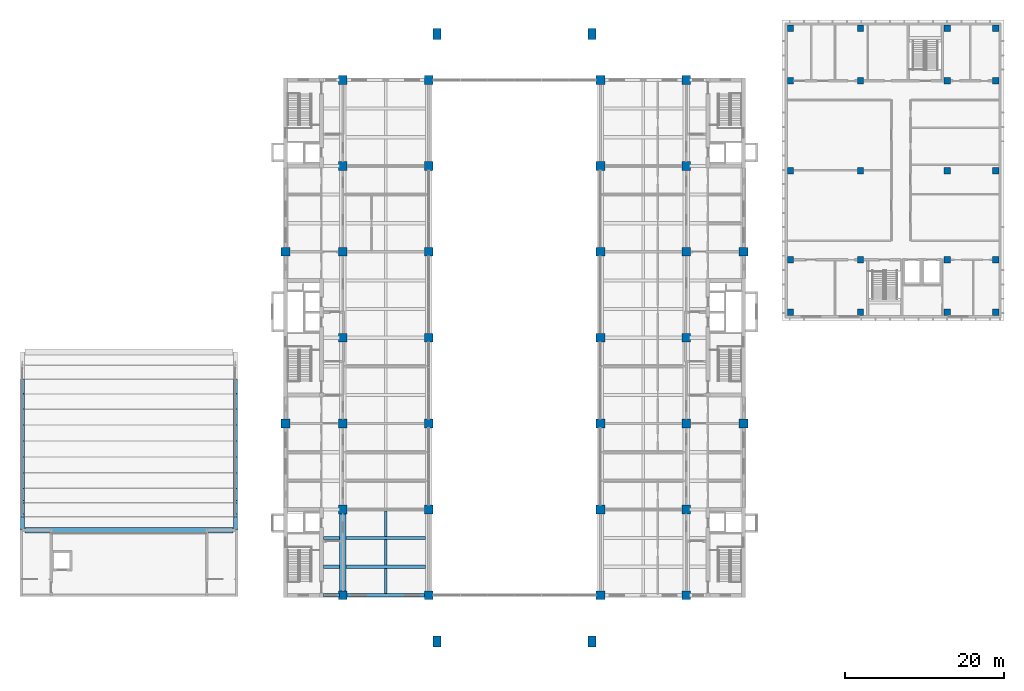
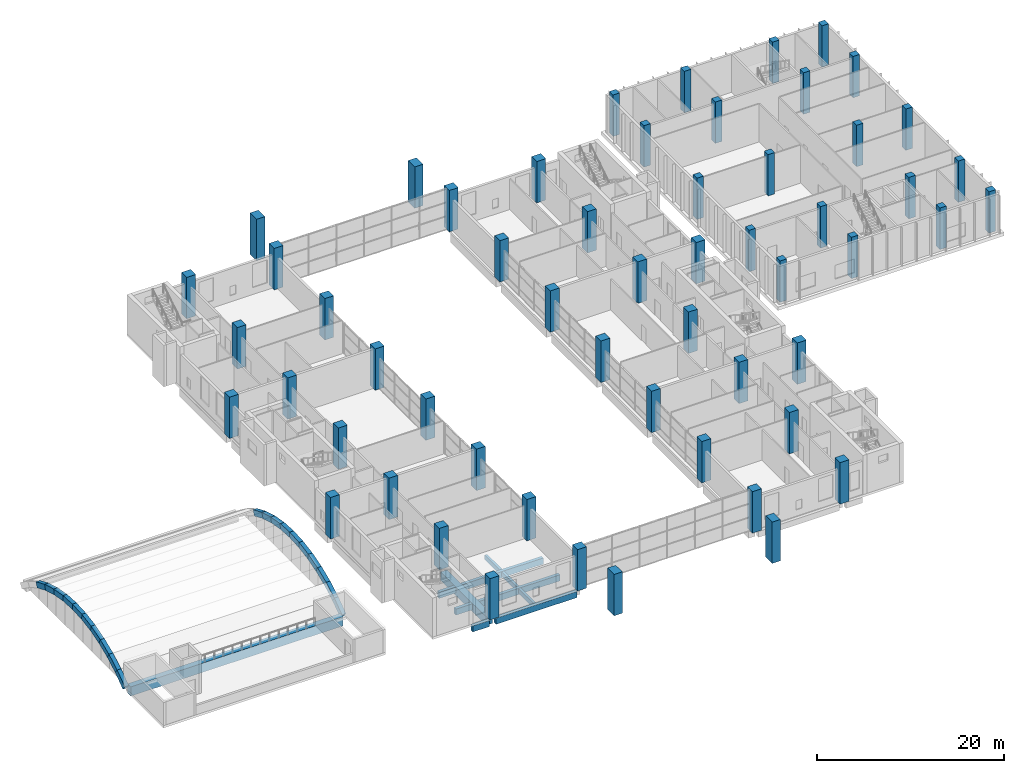
# One storey, part 1 of 32: 56 columns, 31 beams.
"""IFC4 building model written with IfcOpenShell, lengths in metres."""

from ifc_helpers import new_model, si_unit, direction, frame, origin, origin_2d, place, context, subcontext, project, spatial, rectangle, extrude, material, material_profile, profile_set, type_object, element, save


model = new_model("IFC4")

# Units and contexts
model_context = context("Model", 3, precision=1e-05, world=origin(), true_north=direction((0.0, 1.0)))
body_context = subcontext(model_context, "Body", "Model", "MODEL_VIEW")
ifc_project = project(units=[si_unit("LENGTHUNIT", "METRE"), si_unit("AREAUNIT", "SQUARE_METRE"), si_unit("VOLUMEUNIT", "CUBIC_METRE"), si_unit("PLANEANGLEUNIT", "RADIAN"), si_unit("MASSUNIT", "GRAM", prefix="KILO")], contexts=[model_context])

# Site, building, storey
site_placement = place(None, origin())
site = spatial("IfcSite", under=ifc_project, at=site_placement, CompositionType="ELEMENT")
building_placement = place(site_placement, origin())
building = spatial("IfcBuilding", under=site, at=building_placement, Name="Basin Gate Institute", CompositionType="ELEMENT")
storey_placement = place(building_placement, frame((0.0, 0.0, 11.39990234375)))
storey = spatial("IfcBuildingStorey", under=building, at=storey_placement, Name="L02", CompositionType="ELEMENT", Elevation=11.39990234375)

# Columns
ifc_material_1 = material(Name="Concrete 60 MPa", Category="concrete")
ifc_material_profile_1 = material_profile(ifc_material_1, rectangle(XDim=1.10009765625, YDim=1.10009765625, at=origin_2d()), Name="Column C1 1100 x 1100")
ifc_profile_set_1 = profile_set([ifc_material_profile_1], Name="Concrete 60 MPa")
column_type_1 = type_object("IfcColumnType", Name="Column C1 R180", PredefinedType="COLUMN", material=ifc_profile_set_1)
for number, where, z_axis, x_axis, name in (
    (1, (61.199951171875, 56.699951171875, 0.0), (0.0, 0.0, 1.0), (1.0, 0.0, 0.0), "COL/L02/4C"),
    (2, (61.199951171875, 78.300048828125, 0.0), (0.0, 0.0, 1.0), (1.0, 0.0, 0.0), "COL/L02/4E"),
    (3, (68.39990234375, 35.10009765625, 0.0), (0.0, 0.0, 1.0), (1.0, 0.0, 0.0), "COL/L02/5A"),
    (4, (68.39990234375, 45.89990234375, 0.0), (0.0, 0.0, 1.0), (1.0, 0.0, 0.0), "COL/L02/5B"),
    (5, (68.39990234375, 56.699951171875, 0.0), (0.0, 0.0, 1.0), (1.0, 0.0, 0.0), "COL/L02/5C"),
    (6, (68.39990234375, 67.5, 0.0), (0.0, 0.0, 1.0), (1.0, 0.0, 0.0), "COL/L02/5D"),
    (7, (68.39990234375, 78.300048828125, 0.0), (0.0, 0.0, 1.0), (1.0, 0.0, 0.0), "COL/L02/5E"),
    (8, (68.39990234375, 89.10009765625, 0.0), (0.0, 0.0, 1.0), (1.0, 0.0, 0.0), "COL/L02/5F"),
    (9, (68.39990234375, 99.89990234375, 0.0), (0.0, 0.0, 1.0), (1.0, 0.0, 0.0), "COL/L02/5G"),
    (10, (79.199951171875, 35.10009765625, 0.0), (0.0, 0.0, 1.0), (1.0, 0.0, 0.0), "COL/L02/6A"),
    (11, (79.199951171875, 45.89990234375, 0.0), (0.0, 0.0, 1.0), (1.0, 0.0, 0.0), "COL/L02/6B"),
    (12, (79.199951171875, 56.699951171875, 0.0), (0.0, 0.0, 1.0), (1.0, 0.0, 0.0), "COL/L02/6C"),
    (13, (79.199951171875, 67.5, 0.0), (0.0, 0.0, 1.0), (1.0, 0.0, 0.0), "COL/L02/6D"),
    (14, (79.199951171875, 78.300048828125, 0.0), (0.0, 0.0, 1.0), (1.0, 0.0, 0.0), "COL/L02/6E"),
    (15, (79.199951171875, 89.10009765625, 0.0), (0.0, 0.0, 1.0), (1.0, 0.0, 0.0), "COL/L02/6F"),
    (16, (79.199951171875, 99.89990234375, 0.0), (0.0, 0.0, 1.0), (1.0, 0.0, 0.0), "COL/L02/6G"),
    (17, (118.800048828125, 56.699951171875, 0.0), (0.0, 0.0, 1.0), (1.0, 0.0, 0.0), "COL/L02/9C"),
    (18, (118.800048828125, 78.300048828125, 0.0), (0.0, 0.0, 1.0), (1.0, 0.0, 0.0), "COL/L02/9E"),
    (19, (111.60009765625, 35.10009765625, 0.0), (0.0, 0.0, 1.0), (1.0, 0.0, 0.0), "COL/L02/8A"),
    (20, (111.60009765625, 45.89990234375, 0.0), (0.0, 0.0, 1.0), (1.0, 0.0, 0.0), "COL/L02/8B"),
    (21, (111.60009765625, 56.699951171875, 0.0), (0.0, 0.0, 1.0), (1.0, 0.0, 0.0), "COL/L02/8C"),
    (22, (111.60009765625, 67.5, 0.0), (0.0, 0.0, 1.0), (1.0, 0.0, 0.0), "COL/L02/8D"),
    (23, (111.60009765625, 78.300048828125, 0.0), (0.0, 0.0, 1.0), (1.0, 0.0, 0.0), "COL/L02/8E"),
    (24, (111.60009765625, 89.10009765625, 0.0), (0.0, 0.0, 1.0), (1.0, 0.0, 0.0), "COL/L02/8F"),
    (25, (111.60009765625, 99.89990234375, 0.0), (0.0, 0.0, 1.0), (1.0, 0.0, 0.0), "COL/L02/8G"),
    (26, (100.800048828125, 35.10009765625, 0.0), (0.0, 0.0, 1.0), (1.0, 0.0, 0.0), "COL/L02/7A"),
    (27, (100.800048828125, 45.89990234375, 0.0), (0.0, 0.0, 1.0), (1.0, 0.0, 0.0), "COL/L02/7B"),
    (28, (100.800048828125, 56.699951171875, 0.0), (0.0, 0.0, 1.0), (1.0, 0.0, 0.0), "COL/L02/7C"),
    (29, (100.800048828125, 67.5, 0.0), (0.0, 0.0, 1.0), (1.0, 0.0, 0.0), "COL/L02/7D"),
    (30, (100.800048828125, 78.300048828125, 0.0), (0.0, 0.0, 1.0), (1.0, 0.0, 0.0), "COL/L02/7E"),
    (31, (100.800048828125, 89.10009765625, 0.0), (0.0, 0.0, 1.0), (1.0, 0.0, 0.0), "COL/L02/7F"),
    (32, (100.800048828125, 99.89990234375, 0.0), (0.0, 0.0, 1.0), (1.0, 0.0, 0.0), "COL/L02/7G"),
):
    element("IfcColumn", number, at=place(storey_placement, frame(where, z_axis=z_axis, x_axis=x_axis)), inside=storey, type_object=column_type_1, material=ifc_profile_set_1, Name=name, PredefinedType="COLUMN", context=body_context, shape_type="SweptSolid", body=[
        extrude(rectangle(XDim=1.10009765625, YDim=1.10009765625, at=origin_2d()), origin(), (0.0, 0.0, 1.0), 5.400146484375),
    ])
ifc_material_2 = material(Name="Concrete 50 MPa", Category="concrete")
ifc_material_profile_2 = material_profile(ifc_material_2, rectangle(XDim=0.800048828125, YDim=0.800048828125, at=origin_2d()), Name="Column C4 800 x 800")
ifc_profile_set_2 = profile_set([ifc_material_profile_2], Name="Concrete 50 MPa")
column_type_2 = type_object("IfcColumnType", Name="Column C4 R180", PredefinedType="COLUMN", material=ifc_profile_set_2)
for number, where, z_axis, x_axis, name in (
    (33, (124.699951171875, 70.699951171875, 0.0), (0.0, 0.0, 1.0), (1.0, 0.0, 0.0), "Clean block column R180 1/1 L02"),
    (34, (124.699951171875, 77.300048828125, 0.0), (0.0, 0.0, 1.0), (1.0, 0.0, 0.0), "Clean block column R180 1/2 L02"),
    (35, (124.699951171875, 88.5, 0.0), (0.0, 0.0, 1.0), (1.0, 0.0, 0.0), "Clean block column R180 1/3 L02"),
    (36, (124.699951171875, 99.800048828125, 0.0), (0.0, 0.0, 1.0), (1.0, 0.0, 0.0), "Clean block column R180 1/4 L02"),
    (37, (124.699951171875, 106.39990234375, 0.0), (0.0, 0.0, 1.0), (1.0, 0.0, 0.0), "Clean block column R180 1/5 L02"),
    (38, (133.5, 70.699951171875, 0.0), (0.0, 0.0, 1.0), (1.0, 0.0, 0.0), "Clean block column R180 2/1 L02"),
    (39, (133.5, 77.300048828125, 0.0), (0.0, 0.0, 1.0), (1.0, 0.0, 0.0), "Clean block column R180 2/2 L02"),
    (40, (133.5, 88.5, 0.0), (0.0, 0.0, 1.0), (1.0, 0.0, 0.0), "Clean block column R180 2/3 L02"),
    (41, (133.5, 99.800048828125, 0.0), (0.0, 0.0, 1.0), (1.0, 0.0, 0.0), "Clean block column R180 2/4 L02"),
    (42, (133.5, 106.39990234375, 0.0), (0.0, 0.0, 1.0), (1.0, 0.0, 0.0), "Clean block column R180 2/5 L02"),
    (43, (144.39990234375, 70.699951171875, 0.0), (0.0, 0.0, 1.0), (1.0, 0.0, 0.0), "Clean block column R180 3/1 L02"),
    (44, (144.39990234375, 77.300048828125, 0.0), (0.0, 0.0, 1.0), (1.0, 0.0, 0.0), "Clean block column R180 3/2 L02"),
    (45, (144.39990234375, 88.5, 0.0), (0.0, 0.0, 1.0), (1.0, 0.0, 0.0), "Clean block column R180 3/3 L02"),
    (46, (144.39990234375, 99.800048828125, 0.0), (0.0, 0.0, 1.0), (1.0, 0.0, 0.0), "Clean block column R180 3/4 L02"),
    (47, (144.39990234375, 106.39990234375, 0.0), (0.0, 0.0, 1.0), (1.0, 0.0, 0.0), "Clean block column R180 3/5 L02"),
    (48, (150.5, 70.699951171875, 0.0), (0.0, 0.0, 1.0), (1.0, 0.0, 0.0), "Clean block column R180 4/1 L02"),
    (49, (150.5, 77.300048828125, 0.0), (0.0, 0.0, 1.0), (1.0, 0.0, 0.0), "Clean block column R180 4/2 L02"),
    (50, (150.5, 88.5, 0.0), (0.0, 0.0, 1.0), (1.0, 0.0, 0.0), "Clean block column R180 4/3 L02"),
    (51, (150.5, 99.800048828125, 0.0), (0.0, 0.0, 1.0), (1.0, 0.0, 0.0), "Clean block column R180 4/4 L02"),
    (52, (150.5, 106.39990234375, 0.0), (0.0, 0.0, 1.0), (1.0, 0.0, 0.0), "Clean block column R180 4/5 L02"),
):
    element("IfcColumn", number, at=place(storey_placement, frame(where, z_axis=z_axis, x_axis=x_axis)), inside=storey, type_object=column_type_2, material=ifc_profile_set_2, Name=name, PredefinedType="COLUMN", context=body_context, shape_type="SweptSolid", body=[
        extrude(rectangle(XDim=0.800048828125, YDim=0.800048828125, at=origin_2d()), origin(), (0.0, 0.0, 1.0), 5.400146484375),
    ])
ifc_material_3 = material(Name="Concrete 40 MPa", Category="concrete")
ifc_material_profile_3 = material_profile(ifc_material_3, rectangle(XDim=1.0, YDim=1.39990234375, at=origin_2d()), Name="Shell portal column SC1 1000 x 1400")
ifc_profile_set_3 = profile_set([ifc_material_profile_3], Name="Concrete 40 MPa")
column_type_3 = type_object("IfcColumnType", Name="Shell portal column SC1 R180", PredefinedType="COLUMN", material=ifc_profile_set_3)
for number, where, z_axis, x_axis, name in (
    (53, (80.25, 29.300048828125, 0.0), (0.0, 0.0, 1.0), (1.0, 0.0, 0.0), "Atrium shell portal column R180 SW L02"),
    (54, (99.75, 29.300048828125, 0.0), (0.0, 0.0, 1.0), (1.0, 0.0, 0.0), "Atrium shell portal column R180 SE L02"),
    (55, (80.25, 105.699951171875, 0.0), (0.0, 0.0, 1.0), (1.0, 0.0, 0.0), "Atrium shell portal column R180 NW L02"),
    (56, (99.75, 105.699951171875, 0.0), (0.0, 0.0, 1.0), (1.0, 0.0, 0.0), "Atrium shell portal column R180 NE L02"),
):
    element("IfcColumn", number, at=place(storey_placement, frame(where, z_axis=z_axis, x_axis=x_axis)), inside=storey, type_object=column_type_3, material=ifc_profile_set_3, Name=name, PredefinedType="COLUMN", context=body_context, shape_type="SweptSolid", body=[
        extrude(rectangle(XDim=1.0, YDim=1.39990234375, at=origin_2d()), origin(), (0.0, 0.0, 1.0), 5.400146484375),
    ])

# Beams
ifc_material_4 = material(Name="Concrete 40 MPa", Category="concrete")
ifc_material_profile_4 = material_profile(ifc_material_4, rectangle(XDim=0.39990234375, YDim=0.800048828125, at=origin_2d()), Name="Beam B2 400 x 800")
ifc_profile_set_4 = profile_set([ifc_material_profile_4], Name="Concrete 40 MPa")
beam_type_1 = type_object("IfcBeamType", Name="Beam B2 R180", PredefinedType="BEAM", material=ifc_profile_set_4)
beam_1_placement = place(storey_placement, frame((68.800048828125, 35.10009765625, -0.699951171875), z_axis=(1.0, 0.0, 0.0), x_axis=(0.0, 1.0, 0.0)))
element("IfcBeam", 57, at=beam_1_placement, inside=storey, type_object=beam_type_1, material=ifc_profile_set_4, Name="BEAM/L02/W/EW/01", PredefinedType="BEAM", context=body_context, shape_type="SweptSolid", body=[
    extrude(rectangle(XDim=0.39990234375, YDim=0.800048828125, at=origin_2d()), origin(), (0.0, 0.0, 1.0), 10.0),
])
beam_2_placement = place(storey_placement, frame((65.949951171875, 35.10009765625, -0.699951171875), z_axis=(1.0, 0.0, 0.0), x_axis=(0.0, 1.0, 0.0)))
element("IfcBeam", 58, at=beam_2_placement, inside=storey, type_object=beam_type_1, material=ifc_profile_set_4, Name="BEAM/L02/W/CORR/01", PredefinedType="BEAM", context=body_context, shape_type="SweptSolid", body=[
    extrude(rectangle(XDim=0.39990234375, YDim=0.800048828125, at=origin_2d()), origin(), (0.0, 0.0, 1.0), 2.050048828125),
])
beam_3_placement = place(storey_placement, frame((68.800048828125, 38.699951171875, -0.699951171875), z_axis=(1.0, 0.0, 0.0), x_axis=(0.0, 1.0, 0.0)))
element("IfcBeam", 59, at=beam_3_placement, inside=storey, type_object=beam_type_1, material=ifc_profile_set_4, Name="BEAM/L02/W/EW/02", PredefinedType="BEAM", context=body_context, shape_type="SweptSolid", body=[
    extrude(rectangle(XDim=0.39990234375, YDim=0.800048828125, at=origin_2d()), origin(), (0.0, 0.0, 1.0), 10.0),
])
beam_4_placement = place(storey_placement, frame((65.949951171875, 38.699951171875, -0.699951171875), z_axis=(1.0, 0.0, 0.0), x_axis=(0.0, 1.0, 0.0)))
element("IfcBeam", 60, at=beam_4_placement, inside=storey, type_object=beam_type_1, material=ifc_profile_set_4, Name="BEAM/L02/W/CORR/02", PredefinedType="BEAM", context=body_context, shape_type="SweptSolid", body=[
    extrude(rectangle(XDim=0.39990234375, YDim=0.800048828125, at=origin_2d()), origin(), (0.0, 0.0, 1.0), 2.050048828125),
])
beam_5_placement = place(storey_placement, frame((68.800048828125, 42.300048828125, -0.699951171875), z_axis=(1.0, 0.0, 0.0), x_axis=(0.0, 1.0, 0.0)))
element("IfcBeam", 61, at=beam_5_placement, inside=storey, type_object=beam_type_1, material=ifc_profile_set_4, Name="BEAM/L02/W/EW/03", PredefinedType="BEAM", context=body_context, shape_type="SweptSolid", body=[
    extrude(rectangle(XDim=0.39990234375, YDim=0.800048828125, at=origin_2d()), origin(), (0.0, 0.0, 1.0), 10.0),
])
beam_6_placement = place(storey_placement, frame((65.949951171875, 42.300048828125, -0.699951171875), z_axis=(1.0, 0.0, 0.0), x_axis=(0.0, 1.0, 0.0)))
element("IfcBeam", 62, at=beam_6_placement, inside=storey, type_object=beam_type_1, material=ifc_profile_set_4, Name="BEAM/L02/W/CORR/03", PredefinedType="BEAM", context=body_context, shape_type="SweptSolid", body=[
    extrude(rectangle(XDim=0.39990234375, YDim=0.800048828125, at=origin_2d()), origin(), (0.0, 0.0, 1.0), 2.050048828125),
])
ifc_material_5 = material(Name="Concrete 50 MPa", Category="concrete")
ifc_material_profile_5 = material_profile(ifc_material_5, rectangle(XDim=0.800048828125, YDim=1.10009765625, at=origin_2d()), Name="Girder G2 800 x 1100")
ifc_profile_set_5 = profile_set([ifc_material_profile_5], Name="Concrete 50 MPa")
beam_type_2 = type_object("IfcBeamType", Name="Girder G2 R180", PredefinedType="BEAM", material=ifc_profile_set_5)
beam_7_placement = place(storey_placement, frame((68.39990234375, 35.64990234375, -0.849853515625), z_axis=(0.0, 1.0, 0.0), x_axis=(-1.0, 0.0, 0.0)))
element("IfcBeam", 63, at=beam_7_placement, inside=storey, type_object=beam_type_2, material=ifc_profile_set_5, Name="GIR/L02/W5/1", PredefinedType="BEAM", context=body_context, shape_type="SweptSolid", body=[
    extrude(rectangle(XDim=0.800048828125, YDim=1.10009765625, at=origin_2d()), origin(), (0.0, 0.0, 1.0), 9.7001953125),
])
ifc_material_6 = material(Name="Concrete 40 MPa", Category="concrete")
ifc_material_profile_6 = material_profile(ifc_material_6, rectangle(XDim=0.300048828125, YDim=0.60009765625, at=origin_2d()), Name="Rib R2 300 x 600")
ifc_profile_set_6 = profile_set([ifc_material_profile_6], Name="Concrete 40 MPa")
beam_type_3 = type_object("IfcBeamType", Name="Rib R2 R180", PredefinedType="JOIST", material=ifc_profile_set_6)
beam_8_placement = place(storey_placement, frame((73.800048828125, 35.300048828125, -0.599853515625), z_axis=(0.0, 1.0, 0.0), x_axis=(-1.0, 0.0, 0.0)))
element("IfcBeam", 64, at=beam_8_placement, inside=storey, type_object=beam_type_3, material=ifc_profile_set_6, Name="BEAM/L02/W/RIB/01", PredefinedType="JOIST", context=body_context, shape_type="SweptSolid", body=[
    extrude(rectangle(XDim=0.300048828125, YDim=0.60009765625, at=origin_2d()), origin(), (0.0, 0.0, 1.0), 3.199951171875),
])
beam_9_placement = place(storey_placement, frame((73.800048828125, 38.89990234375, -0.599853515625), z_axis=(0.0, 1.0, 0.0), x_axis=(-1.0, 0.0, 0.0)))
element("IfcBeam", 65, at=beam_9_placement, inside=storey, type_object=beam_type_3, material=ifc_profile_set_6, Name="BEAM/L02/W/RIB/02", PredefinedType="JOIST", context=body_context, shape_type="SweptSolid", body=[
    extrude(rectangle(XDim=0.300048828125, YDim=0.60009765625, at=origin_2d()), origin(), (0.0, 0.0, 1.0), 3.2001953125),
])
beam_10_placement = place(storey_placement, frame((73.800048828125, 42.5, -0.599853515625), z_axis=(0.0, 1.0, 0.0), x_axis=(-1.0, 0.0, 0.0)))
element("IfcBeam", 66, at=beam_10_placement, inside=storey, type_object=beam_type_3, material=ifc_profile_set_6, Name="BEAM/L02/W/RIB/03", PredefinedType="JOIST", context=body_context, shape_type="SweptSolid", body=[
    extrude(rectangle(XDim=0.300048828125, YDim=0.60009765625, at=origin_2d()), origin(), (0.0, 0.0, 1.0), 3.199951171875),
])
ifc_material_7 = material(Name="Concrete 40 MPa", Category="concrete")
ifc_material_profile_7 = material_profile(ifc_material_7, rectangle(XDim=0.5, YDim=0.699951171875, at=origin_2d()), Name="Shell arch rib SR2 500 x 700")
ifc_profile_set_7 = profile_set([ifc_material_profile_7], Name="Concrete 40 MPa")
beam_type_4 = type_object("IfcBeamType", Name="Shell arch rib SR2 R180", PredefinedType="BEAM", material=ifc_profile_set_7)
for number, where, z_axis, x_axis, name in (
    (67, (28.10009765625, 43.506103515625, -0.282958984375), (0.0, 0.808558402559, 0.588415932526), (-1.0, 0.0, 0.0), "Theatre shell end rib 1 segment 1"),
    (68, (28.10009765625, 45.10595703125, 0.884033203125), (0.0, 0.87058309179, 0.492021422591), (-1.0, 0.0, 0.0), "Theatre shell end rib 1 segment 2"),
    (69, (28.10009765625, 46.8291015625, 1.861083984375), (0.0, 0.920997267338, 0.389569035673), (-1.0, 0.0, 0.0), "Theatre shell end rib 1 segment 3"),
):
    element("IfcBeam", number, at=place(storey_placement, frame(where, z_axis=z_axis, x_axis=x_axis)), inside=storey, type_object=beam_type_4, material=ifc_profile_set_7, Name=name, PredefinedType="BEAM", context=body_context, shape_type="SweptSolid", body=[
        extrude(rectangle(XDim=0.5, YDim=0.699951171875, at=origin_2d()), origin(), (0.0, 0.0, 1.0), 2.0205078125),
    ])
beam_11_placement = place(storey_placement, frame((28.10009765625, 48.653076171875, 2.634033203125), z_axis=(0.0, 0.959355878711, 0.282199039656), x_axis=(-1.0, 0.0, 0.0)))
element("IfcBeam", 70, at=beam_11_placement, inside=storey, type_object=beam_type_4, material=ifc_profile_set_7, Name="Theatre shell end rib 1 segment 4", PredefinedType="BEAM", context=body_context, shape_type="SweptSolid", body=[
    extrude(rectangle(XDim=0.5, YDim=0.699951171875, at=origin_2d()), origin(), (0.0, 0.0, 1.0), 2.02001953125),
])
beam_12_placement = place(storey_placement, frame((28.10009765625, 50.552001953125, 3.195068359375), z_axis=(0.0, 0.985318862118, 0.170724163357), x_axis=(-1.0, 0.0, 0.0)))
element("IfcBeam", 71, at=beam_12_placement, inside=storey, type_object=beam_type_4, material=ifc_profile_set_7, Name="Theatre shell end rib 1 segment 5", PredefinedType="BEAM", context=body_context, shape_type="SweptSolid", body=[
    extrude(rectangle(XDim=0.5, YDim=0.699951171875, at=origin_2d()), origin(), (0.0, 0.0, 1.0), 2.020751953125),
])
for number, where, z_axis, x_axis, name in (
    (72, (28.10009765625, 52.5029296875, 3.5361328125), (0.0, 0.998378994654, 0.056915578127), (-1.0, 0.0, 0.0), "Theatre shell end rib 1 segment 6"),
    (73, (28.10009765625, 54.47998046875, 3.651123046875), (0.0, 0.998378994654, -0.056915578127), (-1.0, 0.0, 0.0), "Theatre shell end rib 1 segment 7"),
):
    element("IfcBeam", number, at=place(storey_placement, frame(where, z_axis=z_axis, x_axis=x_axis)), inside=storey, type_object=beam_type_4, material=ifc_profile_set_7, Name=name, PredefinedType="BEAM", context=body_context, shape_type="SweptSolid", body=[
        extrude(rectangle(XDim=0.5, YDim=0.699951171875, at=origin_2d()), origin(), (0.0, 0.0, 1.0), 2.020263671875),
    ])
beam_13_placement = place(storey_placement, frame((28.10009765625, 56.45703125, 3.5400390625), z_axis=(0.0, 0.985318862118, -0.170724163357), x_axis=(-1.0, 0.0, 0.0)))
element("IfcBeam", 74, at=beam_13_placement, inside=storey, type_object=beam_type_4, material=ifc_profile_set_7, Name="Theatre shell end rib 1 segment 8", PredefinedType="BEAM", context=body_context, shape_type="SweptSolid", body=[
    extrude(rectangle(XDim=0.5, YDim=0.699951171875, at=origin_2d()), origin(), (0.0, 0.0, 1.0), 2.020751953125),
])
beam_14_placement = place(storey_placement, frame((28.10009765625, 58.408935546875, 3.2041015625), z_axis=(0.0, 0.959355878711, -0.282199039656), x_axis=(-1.0, 0.0, 0.0)))
element("IfcBeam", 75, at=beam_14_placement, inside=storey, type_object=beam_type_4, material=ifc_profile_set_7, Name="Theatre shell end rib 1 segment 9", PredefinedType="BEAM", context=body_context, shape_type="SweptSolid", body=[
    extrude(rectangle(XDim=0.5, YDim=0.699951171875, at=origin_2d()), origin(), (0.0, 0.0, 1.0), 2.02001953125),
])
for number, where, z_axis, x_axis, name in (
    (76, (28.10009765625, 60.31005859375, 2.648193359375), (0.0, 0.920997267338, -0.389569035673), (-1.0, 0.0, 0.0), "Theatre shell end rib 1 segment 10"),
    (77, (54.89990234375, 43.506103515625, -0.282958984375), (0.0, 0.808558402559, 0.588415932526), (-1.0, 0.0, 0.0), "Theatre shell end rib 2 segment 1"),
    (78, (54.89990234375, 45.10595703125, 0.884033203125), (0.0, 0.87058309179, 0.492021422591), (-1.0, 0.0, 0.0), "Theatre shell end rib 2 segment 2"),
    (79, (54.89990234375, 46.8291015625, 1.861083984375), (0.0, 0.920997267338, 0.389569035673), (-1.0, 0.0, 0.0), "Theatre shell end rib 2 segment 3"),
):
    element("IfcBeam", number, at=place(storey_placement, frame(where, z_axis=z_axis, x_axis=x_axis)), inside=storey, type_object=beam_type_4, material=ifc_profile_set_7, Name=name, PredefinedType="BEAM", context=body_context, shape_type="SweptSolid", body=[
        extrude(rectangle(XDim=0.5, YDim=0.699951171875, at=origin_2d()), origin(), (0.0, 0.0, 1.0), 2.0205078125),
    ])
beam_15_placement = place(storey_placement, frame((54.89990234375, 48.653076171875, 2.634033203125), z_axis=(0.0, 0.959355878711, 0.282199039656), x_axis=(-1.0, 0.0, 0.0)))
element("IfcBeam", 80, at=beam_15_placement, inside=storey, type_object=beam_type_4, material=ifc_profile_set_7, Name="Theatre shell end rib 2 segment 4", PredefinedType="BEAM", context=body_context, shape_type="SweptSolid", body=[
    extrude(rectangle(XDim=0.5, YDim=0.699951171875, at=origin_2d()), origin(), (0.0, 0.0, 1.0), 2.02001953125),
])
beam_16_placement = place(storey_placement, frame((54.89990234375, 50.552001953125, 3.195068359375), z_axis=(0.0, 0.985318862118, 0.170724163357), x_axis=(-1.0, 0.0, 0.0)))
element("IfcBeam", 81, at=beam_16_placement, inside=storey, type_object=beam_type_4, material=ifc_profile_set_7, Name="Theatre shell end rib 2 segment 5", PredefinedType="BEAM", context=body_context, shape_type="SweptSolid", body=[
    extrude(rectangle(XDim=0.5, YDim=0.699951171875, at=origin_2d()), origin(), (0.0, 0.0, 1.0), 2.020751953125),
])
for number, where, z_axis, x_axis, name in (
    (82, (54.89990234375, 52.5029296875, 3.5361328125), (0.0, 0.998378994654, 0.056915578127), (-1.0, 0.0, 0.0), "Theatre shell end rib 2 segment 6"),
    (83, (54.89990234375, 54.47998046875, 3.651123046875), (0.0, 0.998378994654, -0.056915578127), (-1.0, 0.0, 0.0), "Theatre shell end rib 2 segment 7"),
):
    element("IfcBeam", number, at=place(storey_placement, frame(where, z_axis=z_axis, x_axis=x_axis)), inside=storey, type_object=beam_type_4, material=ifc_profile_set_7, Name=name, PredefinedType="BEAM", context=body_context, shape_type="SweptSolid", body=[
        extrude(rectangle(XDim=0.5, YDim=0.699951171875, at=origin_2d()), origin(), (0.0, 0.0, 1.0), 2.020263671875),
    ])
beam_17_placement = place(storey_placement, frame((54.89990234375, 56.45703125, 3.5400390625), z_axis=(0.0, 0.985318862118, -0.170724163357), x_axis=(-1.0, 0.0, 0.0)))
element("IfcBeam", 84, at=beam_17_placement, inside=storey, type_object=beam_type_4, material=ifc_profile_set_7, Name="Theatre shell end rib 2 segment 8", PredefinedType="BEAM", context=body_context, shape_type="SweptSolid", body=[
    extrude(rectangle(XDim=0.5, YDim=0.699951171875, at=origin_2d()), origin(), (0.0, 0.0, 1.0), 2.020751953125),
])
beam_18_placement = place(storey_placement, frame((54.89990234375, 58.408935546875, 3.2041015625), z_axis=(0.0, 0.959355878711, -0.282199039656), x_axis=(-1.0, 0.0, 0.0)))
element("IfcBeam", 85, at=beam_18_placement, inside=storey, type_object=beam_type_4, material=ifc_profile_set_7, Name="Theatre shell end rib 2 segment 9", PredefinedType="BEAM", context=body_context, shape_type="SweptSolid", body=[
    extrude(rectangle(XDim=0.5, YDim=0.699951171875, at=origin_2d()), origin(), (0.0, 0.0, 1.0), 2.02001953125),
])
beam_19_placement = place(storey_placement, frame((54.89990234375, 60.31005859375, 2.648193359375), z_axis=(0.0, 0.920997267338, -0.389569035673), x_axis=(-1.0, 0.0, 0.0)))
element("IfcBeam", 86, at=beam_19_placement, inside=storey, type_object=beam_type_4, material=ifc_profile_set_7, Name="Theatre shell end rib 2 segment 10", PredefinedType="BEAM", context=body_context, shape_type="SweptSolid", body=[
    extrude(rectangle(XDim=0.5, YDim=0.699951171875, at=origin_2d()), origin(), (0.0, 0.0, 1.0), 2.0205078125),
])
ifc_material_8 = material(Name="Concrete 40 MPa", Category="concrete")
ifc_material_profile_8 = material_profile(ifc_material_8, rectangle(XDim=0.699951171875, YDim=1.199951171875, at=origin_2d()), Name="Shell edge beam SE2 700 x 1200")
ifc_profile_set_8 = profile_set([ifc_material_profile_8], Name="Concrete 40 MPa")
beam_type_5 = type_object("IfcBeamType", Name="Shell edge beam SE2 R180", PredefinedType="BEAM", material=ifc_profile_set_8)
beam_20_placement = place(storey_placement, frame((28.39990234375, 43.300048828125, -0.599853515625), z_axis=(1.0, 0.0, 0.0), x_axis=(0.0, 1.0, 0.0)))
element("IfcBeam", 87, at=beam_20_placement, inside=storey, type_object=beam_type_5, material=ifc_profile_set_8, Name="Theatre shell edge beam A", PredefinedType="BEAM", context=body_context, shape_type="SweptSolid", body=[
    extrude(rectangle(XDim=0.699951171875, YDim=1.199951171875, at=origin_2d()), origin(), (0.0, 0.0, 1.0), 26.2001953125),
])

save(model, "model.ifc")
